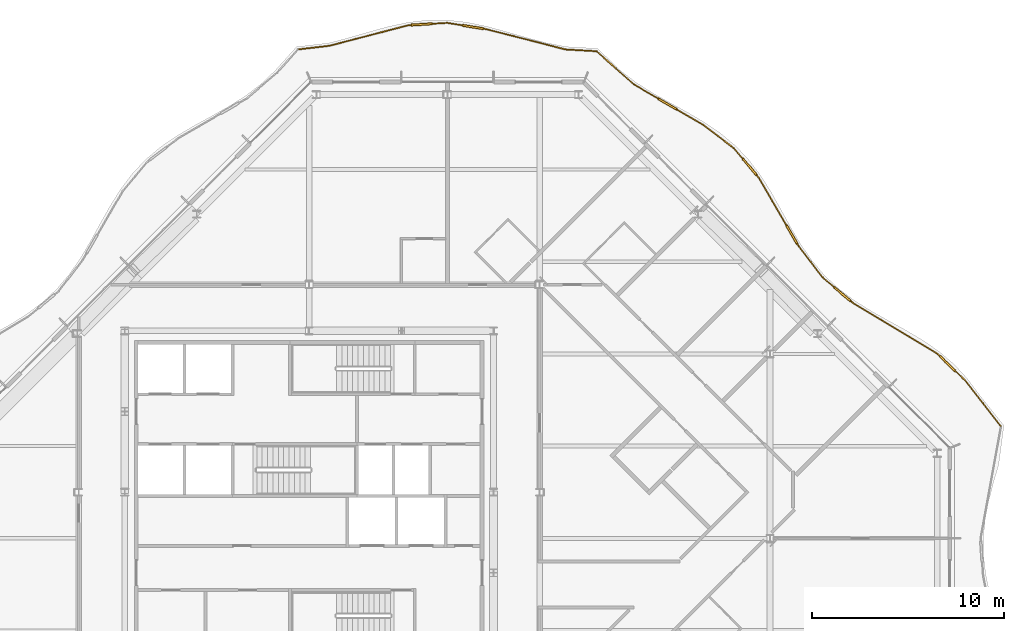
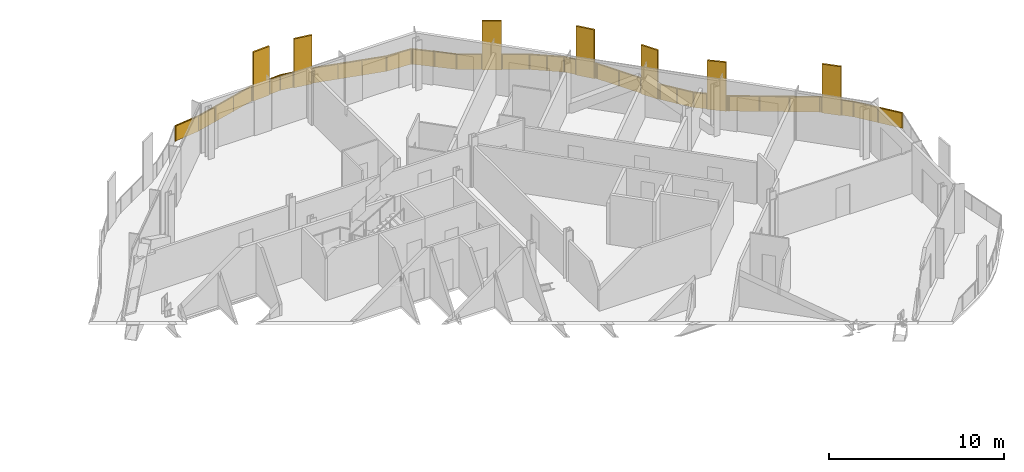
# One storey, part 16 of 16: 2 railings.
"""IFC4 building model written with IfcOpenShell, lengths in metres."""

from ifc_helpers import new_model, si_unit, direction, frame, origin, origin_2d, place, context, subcontext, project, spatial, polyline, rectangle, outline, extrude, material, type_object, element, save


model = new_model("IFC4")

# Units and contexts
model_context = context("Model", 3, precision=1e-05, world=origin(), true_north=direction((0.0, 1.0)))
body_context = subcontext(model_context, "Body", "Model", "MODEL_VIEW")
ifc_project = project(units=[si_unit("LENGTHUNIT", "METRE"), si_unit("AREAUNIT", "SQUARE_METRE"), si_unit("VOLUMEUNIT", "CUBIC_METRE"), si_unit("PLANEANGLEUNIT", "RADIAN"), si_unit("MASSUNIT", "GRAM", prefix="KILO")], contexts=[model_context])

# Site, building, storey
site_placement = place(None, origin())
site = spatial("IfcSite", under=ifc_project, at=site_placement, CompositionType="ELEMENT")
building_placement = place(site_placement, origin())
building = spatial("IfcBuilding", under=site, at=building_placement, Name="Cairn Pilgrim Tower", CompositionType="ELEMENT")
storey_placement = place(building_placement, frame((0.0, 0.0, 277.800048828125)))
storey = spatial("IfcBuildingStorey", under=building, at=storey_placement, Name="L71", CompositionType="ELEMENT", Elevation=277.800048828125)

# Railings
ifc_material = material(Name="Bronze anodised aluminium rail, posts and fin screens with laminated glass infill", Category="aluminium")
railing_type = type_object("IfcRailingType", Name="BALCONY GUARD WITH FIN SCREENS", PredefinedType="GUARDRAIL", material=ifc_material)
railing_1_placement = place(storey_placement, frame((43.218505859375, 5.82861328125, 0.0)))
element("IfcRailing", 1, at=railing_1_placement, inside=storey, type_object=railing_type, Name="Balcony guard BGF-4 with fin screens", PredefinedType="GUARDRAIL", context=body_context, shape_type="SweptSolid", body=[
    extrude(rectangle(XDim=0.050048828125, YDim=0.050048828125, at=origin_2d()), frame((0.0, 0.0, 1.0751953125), z_axis=(-0.614683489596, 0.788773863422, 0.0), x_axis=(-0.788773863422, -0.614683489596, 0.0)), (0.0, 0.0, 1.0), 3.02490234375),
    extrude(rectangle(XDim=1.10009765625, YDim=0.110107421875, at=origin_2d()), frame((-2.78466796875, 3.2763671875, 0.0), z_axis=(0.0, 0.0, 1.0), x_axis=(-0.720511442575, 0.693443048216, 0.0)), (0.0, 0.0, 1.0), 3.39990234375),
    extrude(rectangle(XDim=0.050048828125, YDim=0.050048828125, at=origin_2d()), frame((-1.859375, 2.385986328125, 1.0751953125), z_axis=(-0.720511442575, 0.693443048216, 0.0), x_axis=(-0.693443048216, -0.720511442575, 0.0)), (0.0, 0.0, 1.0), 0.734130859375),
    extrude(rectangle(XDim=0.050048828125, YDim=0.050048828125, at=origin_2d()), frame((-3.180908203125, 3.657958984375, 1.0751953125), z_axis=(-0.720511442575, 0.693443048216, 0.0), x_axis=(-0.693443048216, -0.720511442575, 0.0)), (0.0, 0.0, 1.0), 0.150146484375),
    extrude(rectangle(XDim=0.050048828125, YDim=0.050048828125, at=origin_2d()), frame((-3.2890625, 3.761962890625, 1.0751953125), z_axis=(-0.856082564474, 0.516839087922, 0.0), x_axis=(-0.516839087922, -0.856082564474, 0.0)), (0.0, 0.0, 1.0), 5.17431640625),
    extrude(rectangle(XDim=1.10009765625, YDim=0.110107421875, at=origin_2d()), frame((-8.2548828125, 6.885986328125, 0.0), z_axis=(0.0, 0.0, 1.0), x_axis=(-0.766125243105, 0.64269130372, 0.0)), (0.0, 0.0, 1.0), 3.39990234375),
    extrude(rectangle(XDim=0.050048828125, YDim=0.050048828125, at=origin_2d()), frame((-7.71875, 6.436279296875, 1.0751953125), z_axis=(-0.766125243105, 0.64269130372, 0.0), x_axis=(-0.64269130372, -0.766125243105, 0.0)), (0.0, 0.0, 1.0), 0.14990234375),
    extrude(rectangle(XDim=0.050048828125, YDim=0.050048828125, at=origin_2d()), frame((-8.67626953125, 7.239501953125, 1.0751953125), z_axis=(-0.766125243105, 0.64269130372, 0.0), x_axis=(-0.64269130372, -0.766125243105, 0.0)), (0.0, 0.0, 1.0), 0.79736328125),
    extrude(rectangle(XDim=0.050048828125, YDim=0.050048828125, at=origin_2d()), frame((-9.287109375, 7.751953125, 1.0751953125), z_axis=(-0.608331764351, 0.793682848802, 0.0), x_axis=(-0.793682848802, -0.608331764351, 0.0)), (0.0, 0.0, 1.0), 2.0546875),
    extrude(rectangle(XDim=1.10009765625, YDim=0.110107421875, at=origin_2d()), frame((-10.889404296875, 9.987548828125, 0.0), z_axis=(0.0, 0.0, 1.0), x_axis=(-0.503440017481, 0.864030178176, 0.0)), (0.0, 0.0, 1.0), 3.39990234375),
    extrude(rectangle(XDim=0.050048828125, YDim=0.050048828125, at=origin_2d()), frame((-10.537109375, 9.3828125, 1.0751953125), z_axis=(-0.503440017481, 0.864030178176, 0.0), x_axis=(-0.864030178176, -0.503440017481, 0.0)), (0.0, 0.0, 1.0), 0.14990234375),
    extrude(rectangle(XDim=0.050048828125, YDim=0.050048828125, at=origin_2d()), frame((-11.166259765625, 10.462646484375, 1.0751953125), z_axis=(-0.503440017481, 0.864030178176, 0.0), x_axis=(-0.864030178176, -0.503440017481, 0.0)), (0.0, 0.0, 1.0), 2.906494140625),
    extrude(rectangle(XDim=1.10009765625, YDim=0.110107421875, at=origin_2d()), frame((-13.08251953125, 13.5087890625, 0.0), z_axis=(0.0, 0.0, 1.0), x_axis=(-0.646310927774, 0.763074167195, 0.0)), (0.0, 0.0, 1.0), 3.39990234375),
    extrude(rectangle(XDim=0.050048828125, YDim=0.050048828125, at=origin_2d()), frame((-12.629638671875, 12.97412109375, 1.0751953125), z_axis=(-0.646310927774, 0.763074167195, 0.0), x_axis=(-0.763074167195, -0.646310927774, 0.0)), (0.0, 0.0, 1.0), 0.150634765625),
    extrude(rectangle(XDim=0.050048828125, YDim=0.050048828125, at=origin_2d()), frame((-13.43798828125, 13.928466796875, 1.0751953125), z_axis=(-0.646310927774, 0.763074167195, 0.0), x_axis=(-0.763074167195, -0.646310927774, 0.0)), (0.0, 0.0, 1.0), 0.73779296875),
    extrude(rectangle(XDim=0.050048828125, YDim=0.050048828125, at=origin_2d()), frame((-13.914794921875, 14.491455078125, 1.0751953125), z_axis=(-0.796478900899, 0.604666321554, 0.0), x_axis=(-0.604666321554, -0.796478900899, 0.0)), (0.0, 0.0, 1.0), 2.004638671875),
    extrude(rectangle(XDim=1.10009765625, YDim=0.110107421875, at=origin_2d()), frame((-17.359130859375, 16.78125, 0.0), z_axis=(0.0, 0.0, 1.0), x_axis=(-0.863808660409, 0.503820005759, 0.0)), (0.0, 0.0, 1.0), 3.39990234375),
    extrude(rectangle(XDim=0.050048828125, YDim=0.050048828125, at=origin_2d()), frame((-15.511474609375, 15.70361328125, 1.0751953125), z_axis=(-0.863808660409, 0.503820005759, 0.0), x_axis=(-0.503820005759, -0.863808660409, 0.0)), (0.0, 0.0, 1.0), 1.589111328125),
    extrude(rectangle(XDim=0.050048828125, YDim=0.050048828125, at=origin_2d()), frame((-17.834228515625, 17.058349609375, 1.0751953125), z_axis=(-0.863808660409, 0.503820005759, 0.0), x_axis=(-0.503820005759, -0.863808660409, 0.0)), (0.0, 0.0, 1.0), 1.476318359375),
    extrude(rectangle(XDim=0.050048828125, YDim=0.050048828125, at=origin_2d()), frame((-19.109619140625, 17.80224609375, 1.0751953125), z_axis=(-0.747780073964, 0.663946504609, 0.0), x_axis=(-0.663946504609, -0.747780073964, 0.0)), (0.0, 0.0, 1.0), 2.542236328125),
    extrude(rectangle(XDim=0.050048828125, YDim=0.050048828125, at=origin_2d()), origin(), (0.0, 0.0, 1.0), 1.050048828125),
    extrude(rectangle(XDim=0.050048828125, YDim=0.050048828125, at=origin_2d()), frame((-0.9296875, 1.19287109375, 0.0)), (0.0, 0.0, 1.0), 1.050048828125),
    extrude(rectangle(XDim=0.050048828125, YDim=0.050048828125, at=origin_2d()), frame((-1.859375, 2.385986328125, 0.0)), (0.0, 0.0, 1.0), 1.050048828125),
    extrude(rectangle(XDim=0.050048828125, YDim=0.050048828125, at=origin_2d()), frame((-2.370361328125, 2.877685546875, 0.0)), (0.0, 0.0, 1.0), 1.050048828125),
    extrude(rectangle(XDim=0.050048828125, YDim=0.050048828125, at=origin_2d()), frame((-3.198974609375, 3.67529296875, 0.0)), (0.0, 0.0, 1.0), 1.050048828125),
    extrude(rectangle(XDim=0.050048828125, YDim=0.050048828125, at=origin_2d()), frame((-3.2890625, 3.761962890625, 0.0)), (0.0, 0.0, 1.0), 1.050048828125),
    extrude(rectangle(XDim=0.050048828125, YDim=0.050048828125, at=origin_2d()), frame((-4.765625, 4.6533203125, 0.0)), (0.0, 0.0, 1.0), 1.050048828125),
    extrude(rectangle(XDim=0.050048828125, YDim=0.050048828125, at=origin_2d()), frame((-6.2421875, 5.544921875, 0.0)), (0.0, 0.0, 1.0), 1.050048828125),
    extrude(rectangle(XDim=0.050048828125, YDim=0.050048828125, at=origin_2d()), frame((-7.71875, 6.436279296875, 0.0)), (0.0, 0.0, 1.0), 1.050048828125),
    extrude(rectangle(XDim=0.050048828125, YDim=0.050048828125, at=origin_2d()), frame((-7.814453125, 6.5166015625, 0.0)), (0.0, 0.0, 1.0), 1.050048828125),
    extrude(rectangle(XDim=0.050048828125, YDim=0.050048828125, at=origin_2d()), frame((-8.695556640625, 7.255615234375, 0.0)), (0.0, 0.0, 1.0), 1.050048828125),
    extrude(rectangle(XDim=0.050048828125, YDim=0.050048828125, at=origin_2d()), frame((-9.287109375, 7.751953125, 0.0)), (0.0, 0.0, 1.0), 1.050048828125),
    extrude(rectangle(XDim=0.050048828125, YDim=0.050048828125, at=origin_2d()), frame((-9.912109375, 8.5673828125, 0.0)), (0.0, 0.0, 1.0), 1.050048828125),
    extrude(rectangle(XDim=0.050048828125, YDim=0.050048828125, at=origin_2d()), frame((-10.537109375, 9.3828125, 0.0)), (0.0, 0.0, 1.0), 1.050048828125),
    extrude(rectangle(XDim=0.050048828125, YDim=0.050048828125, at=origin_2d()), frame((-10.60009765625, 9.49072265625, 0.0)), (0.0, 0.0, 1.0), 1.050048828125),
    extrude(rectangle(XDim=0.050048828125, YDim=0.050048828125, at=origin_2d()), frame((-11.178955078125, 10.484375, 0.0)), (0.0, 0.0, 1.0), 1.050048828125),
    extrude(rectangle(XDim=0.050048828125, YDim=0.050048828125, at=origin_2d()), frame((-11.904296875, 11.729248046875, 0.0)), (0.0, 0.0, 1.0), 1.050048828125),
    extrude(rectangle(XDim=0.050048828125, YDim=0.050048828125, at=origin_2d()), frame((-12.629638671875, 12.97412109375, 0.0)), (0.0, 0.0, 1.0), 1.050048828125),
    extrude(rectangle(XDim=0.050048828125, YDim=0.050048828125, at=origin_2d()), frame((-12.710693359375, 13.06982421875, 0.0)), (0.0, 0.0, 1.0), 1.050048828125),
    extrude(rectangle(XDim=0.050048828125, YDim=0.050048828125, at=origin_2d()), frame((-13.4541015625, 13.947509765625, 0.0)), (0.0, 0.0, 1.0), 1.050048828125),
    extrude(rectangle(XDim=0.050048828125, YDim=0.050048828125, at=origin_2d()), frame((-13.914794921875, 14.491455078125, 0.0)), (0.0, 0.0, 1.0), 1.050048828125),
    extrude(rectangle(XDim=0.050048828125, YDim=0.050048828125, at=origin_2d()), frame((-14.713134765625, 15.09765625, 0.0)), (0.0, 0.0, 1.0), 1.050048828125),
    extrude(rectangle(XDim=0.050048828125, YDim=0.050048828125, at=origin_2d()), frame((-15.511474609375, 15.70361328125, 0.0)), (0.0, 0.0, 1.0), 1.050048828125),
    extrude(rectangle(XDim=0.050048828125, YDim=0.050048828125, at=origin_2d()), frame((-16.862548828125, 16.49169921875, 0.0)), (0.0, 0.0, 1.0), 1.050048828125),
    extrude(rectangle(XDim=0.050048828125, YDim=0.050048828125, at=origin_2d()), frame((-17.85595703125, 17.071044921875, 0.0)), (0.0, 0.0, 1.0), 1.050048828125),
    extrude(rectangle(XDim=0.050048828125, YDim=0.050048828125, at=origin_2d()), frame((-19.109619140625, 17.80224609375, 0.0)), (0.0, 0.0, 1.0), 1.050048828125),
    extrude(rectangle(XDim=0.050048828125, YDim=0.050048828125, at=origin_2d()), frame((-20.06005859375, 18.646240234375, 0.0)), (0.0, 0.0, 1.0), 1.050048828125),
    extrude(rectangle(XDim=0.050048828125, YDim=0.050048828125, at=origin_2d()), frame((-21.0107421875, 19.490234375, 0.0)), (0.0, 0.0, 1.0), 1.050048828125),
    extrude(outline(polyline([(0.02490234375, 0.0), (1.487548828125, 0.0), (1.487548828125, 1.050048828125), (0.02490234375, 1.050048828125), (0.02490234375, 0.0)])), frame((-0.004638671875, -0.003662109375, 0.0), z_axis=(0.788773863422, 0.614683489596, 0.0), x_axis=(-0.614683489596, 0.788773863422, 0.0)), (0.0, 0.0, 1.0), 0.011962890625),
    extrude(outline(polyline([(0.02490234375, 0.0), (1.487548828125, 0.0), (1.487548828125, 1.050048828125), (0.02490234375, 1.050048828125), (0.02490234375, 0.0)])), frame((-0.934326171875, 1.189208984375, 0.0), z_axis=(0.788773863422, 0.614683489596, 0.0), x_axis=(-0.614683489596, 0.788773863422, 0.0)), (0.0, 0.0, 1.0), 0.011962890625),
    extrude(outline(polyline([(0.02490234375, 0.0), (0.68408203125, 0.0), (0.68408203125, 1.050048828125), (0.02490234375, 1.050048828125), (0.02490234375, 0.0)])), frame((-1.863525390625, 2.381591796875, 0.0), z_axis=(0.693443048216, 0.720511442575, 0.0), x_axis=(-0.720511442575, 0.693443048216, 0.0)), (0.0, 0.0, 1.0), 0.011962890625),
    extrude(outline(polyline([(0.02490234375, 0.0), (0.10009765625, 0.0), (0.10009765625, 1.050048828125), (0.02490234375, 1.050048828125), (0.02490234375, 0.0)])), frame((-3.203125, 3.6708984375, 0.0), z_axis=(0.693443048216, 0.720511442575, 0.0), x_axis=(-0.720511442575, 0.693443048216, 0.0)), (0.0, 0.0, 1.0), 0.011962890625),
    extrude(outline(polyline([(0.02490234375, 0.0), (1.69970703125, 0.0), (1.69970703125, 1.050048828125), (0.02490234375, 1.050048828125), (0.02490234375, 0.0)])), frame((-3.292236328125, 3.7568359375, 0.0), z_axis=(0.516839087922, 0.856082564474, 0.0), x_axis=(-0.856082564474, 0.516839087922, 0.0)), (0.0, 0.0, 1.0), 0.011962890625),
    extrude(outline(polyline([(0.02490234375, 0.0), (1.69970703125, 0.0), (1.69970703125, 1.050048828125), (0.02490234375, 1.050048828125), (0.02490234375, 0.0)])), frame((-4.768798828125, 4.648193359375, 0.0), z_axis=(0.516839087922, 0.856082564474, 0.0), x_axis=(-0.856082564474, 0.516839087922, 0.0)), (0.0, 0.0, 1.0), 0.011962890625),
    extrude(outline(polyline([(0.02490234375, 0.0), (1.69970703125, 0.0), (1.69970703125, 1.050048828125), (0.02490234375, 1.050048828125), (0.02490234375, 0.0)])), frame((-6.245361328125, 5.539794921875, 0.0), z_axis=(0.516839087922, 0.856082564474, 0.0), x_axis=(-0.856082564474, 0.516839087922, 0.0)), (0.0, 0.0, 1.0), 0.011962890625),
    extrude(outline(polyline([(0.02490234375, 0.0), (0.099853515625, 0.0), (0.099853515625, 1.050048828125), (0.02490234375, 1.050048828125), (0.02490234375, 0.0)])), frame((-7.72265625, 6.431640625, 0.0), z_axis=(0.64269130372, 0.766125243105, 0.0), x_axis=(-0.766125243105, 0.64269130372, 0.0)), (0.0, 0.0, 1.0), 0.011962890625),
    extrude(outline(polyline([(0.02490234375, 0.0), (0.747314453125, 0.0), (0.747314453125, 1.050048828125), (0.02490234375, 1.050048828125), (0.02490234375, 0.0)])), frame((-8.69921875, 7.2509765625, 0.0), z_axis=(0.64269130372, 0.766125243105, 0.0), x_axis=(-0.766125243105, 0.64269130372, 0.0)), (0.0, 0.0, 1.0), 0.011962890625),
    extrude(outline(polyline([(0.02490234375, 0.0), (1.00244140625, 0.0), (1.00244140625, 1.050048828125), (0.02490234375, 1.050048828125), (0.02490234375, 0.0)])), frame((-9.291748046875, 7.748291015625, 0.0), z_axis=(0.793682848802, 0.608331764351, 0.0), x_axis=(-0.608331764351, 0.793682848802, 0.0)), (0.0, 0.0, 1.0), 0.011962890625),
    extrude(outline(polyline([(0.02490234375, 0.0), (1.00244140625, 0.0), (1.00244140625, 1.050048828125), (0.02490234375, 1.050048828125), (0.02490234375, 0.0)])), frame((-9.916748046875, 8.563720703125, 0.0), z_axis=(0.793682848802, 0.608331764351, 0.0), x_axis=(-0.608331764351, 0.793682848802, 0.0)), (0.0, 0.0, 1.0), 0.011962890625),
    extrude(outline(polyline([(0.02490234375, 0.0), (0.099853515625, 0.0), (0.099853515625, 1.050048828125), (0.02490234375, 1.050048828125), (0.02490234375, 0.0)])), frame((-10.542236328125, 9.3798828125, 0.0), z_axis=(0.864030178176, 0.503440017481, 0.0), x_axis=(-0.503440017481, 0.864030178176, 0.0)), (0.0, 0.0, 1.0), 0.011962890625),
    extrude(outline(polyline([(0.02490234375, 0.0), (1.415771484375, 0.0), (1.415771484375, 1.050048828125), (0.02490234375, 1.050048828125), (0.02490234375, 0.0)])), frame((-11.18408203125, 10.4814453125, 0.0), z_axis=(0.864030178176, 0.503440017481, 0.0), x_axis=(-0.503440017481, 0.864030178176, 0.0)), (0.0, 0.0, 1.0), 0.011962890625),
    extrude(outline(polyline([(0.02490234375, 0.0), (1.415771484375, 0.0), (1.415771484375, 1.050048828125), (0.02490234375, 1.050048828125), (0.02490234375, 0.0)])), frame((-11.909423828125, 11.726318359375, 0.0), z_axis=(0.864030178176, 0.503440017481, 0.0), x_axis=(-0.503440017481, 0.864030178176, 0.0)), (0.0, 0.0, 1.0), 0.011962890625),
    extrude(outline(polyline([(0.02490234375, 0.0), (0.1005859375, 0.0), (0.1005859375, 1.050048828125), (0.02490234375, 1.050048828125), (0.02490234375, 0.0)])), frame((-12.63427734375, 12.97021484375, 0.0), z_axis=(0.763074167195, 0.646310927774, 0.0), x_axis=(-0.646310927774, 0.763074167195, 0.0)), (0.0, 0.0, 1.0), 0.011962890625),
    extrude(outline(polyline([(0.02490234375, 0.0), (0.687744140625, 0.0), (0.687744140625, 1.050048828125), (0.02490234375, 1.050048828125), (0.02490234375, 0.0)])), frame((-13.45849609375, 13.943603515625, 0.0), z_axis=(0.763074167195, 0.646310927774, 0.0), x_axis=(-0.646310927774, 0.763074167195, 0.0)), (0.0, 0.0, 1.0), 0.011962890625),
    extrude(outline(polyline([(0.02490234375, 0.0), (0.977294921875, 0.0), (0.977294921875, 1.050048828125), (0.02490234375, 1.050048828125), (0.02490234375, 0.0)])), frame((-13.91845703125, 14.486572265625, 0.0), z_axis=(0.604666321554, 0.796478900899, 0.0), x_axis=(-0.796478900899, 0.604666321554, 0.0)), (0.0, 0.0, 1.0), 0.011962890625),
    extrude(outline(polyline([(0.02490234375, 0.0), (0.977294921875, 0.0), (0.977294921875, 1.050048828125), (0.02490234375, 1.050048828125), (0.02490234375, 0.0)])), frame((-14.716796875, 15.0927734375, 0.0), z_axis=(0.604666321554, 0.796478900899, 0.0), x_axis=(-0.796478900899, 0.604666321554, 0.0)), (0.0, 0.0, 1.0), 0.011962890625),
    extrude(outline(polyline([(0.02490234375, 0.0), (1.5390625, 0.0), (1.5390625, 1.050048828125), (0.02490234375, 1.050048828125), (0.02490234375, 0.0)])), frame((-15.514404296875, 15.698486328125, 0.0), z_axis=(0.503820005759, 0.863808660409, 0.0), x_axis=(-0.863808660409, 0.503820005759, 0.0)), (0.0, 0.0, 1.0), 0.011962890625),
    extrude(outline(polyline([(0.02490234375, 0.0), (1.42626953125, 0.0), (1.42626953125, 1.050048828125), (0.02490234375, 1.050048828125), (0.02490234375, 0.0)])), frame((-17.85888671875, 17.06591796875, 0.0), z_axis=(0.503820005759, 0.863808660409, 0.0), x_axis=(-0.863808660409, 0.503820005759, 0.0)), (0.0, 0.0, 1.0), 0.011962890625),
    extrude(outline(polyline([(0.02490234375, 0.0), (1.24609375, 0.0), (1.24609375, 1.050048828125), (0.02490234375, 1.050048828125), (0.02490234375, 0.0)])), frame((-19.113525390625, 17.7978515625, 0.0), z_axis=(0.663946504609, 0.747780073964, 0.0), x_axis=(-0.747780073964, 0.663946504609, 0.0)), (0.0, 0.0, 1.0), 0.011962890625),
    extrude(outline(polyline([(0.02490234375, 0.0), (1.24609375, 0.0), (1.24609375, 1.050048828125), (0.02490234375, 1.050048828125), (0.02490234375, 0.0)])), frame((-20.064208984375, 18.641845703125, 0.0), z_axis=(0.663946504609, 0.747780073964, 0.0), x_axis=(-0.747780073964, 0.663946504609, 0.0)), (0.0, 0.0, 1.0), 0.011962890625),
])
railing_2_placement = place(storey_placement, frame((22.162841796875, 25.358642578125, 0.0)))
element("IfcRailing", 2, at=railing_2_placement, inside=storey, type_object=railing_type, Name="Balcony guard BGF-5 with fin screens", PredefinedType="GUARDRAIL", context=body_context, shape_type="SweptSolid", body=[
    extrude(rectangle(XDim=0.050048828125, YDim=0.050048828125, at=origin_2d()), frame((0.0, 0.0, 1.0751953125), z_axis=(-0.998344445925, 0.057518408271, 0.0), x_axis=(-0.057518408271, -0.998344445925, 0.0)), (0.0, 0.0, 1.0), 1.6171875),
    extrude(rectangle(XDim=0.050048828125, YDim=0.050048828125, at=origin_2d()), frame((-1.614501953125, 0.093017578125, 1.0751953125), z_axis=(-0.968746289729, 0.248053675917, 0.0), x_axis=(-0.248053675917, -0.968746289729, 0.0)), (0.0, 0.0, 1.0), 4.2548828125),
    extrude(rectangle(XDim=1.10009765625, YDim=0.110107421875, at=origin_2d()), frame((-6.427490234375, 1.260009765625, 0.0), z_axis=(0.0, 0.0, 1.0), x_axis=(-0.987238717201, 0.159247339884, 0.0)), (0.0, 0.0, 1.0), 3.39990234375),
    extrude(rectangle(XDim=0.050048828125, YDim=0.050048828125, at=origin_2d()), frame((-5.736328125, 1.1484375, 1.0751953125), z_axis=(-0.987238717201, 0.159247339884, 0.0), x_axis=(-0.159247339884, -0.987238717201, 0.0)), (0.0, 0.0, 1.0), 0.14990234375),
    extrude(rectangle(XDim=0.050048828125, YDim=0.050048828125, at=origin_2d()), frame((-6.970458984375, 1.347412109375, 1.0751953125), z_axis=(-0.987238717201, 0.159247339884, 0.0), x_axis=(-0.159247339884, -0.987238717201, 0.0)), (0.0, 0.0, 1.0), 0.810546875),
    extrude(rectangle(XDim=1.10009765625, YDim=0.110107421875, at=origin_2d()), frame((-9.09765625, 1.3974609375, 0.0), z_axis=(0.0, 0.0, 1.0), x_axis=(-0.998225498549, -0.059547074208, 0.0)), (0.0, 0.0, 1.0), 3.39990234375),
    extrude(rectangle(XDim=0.050048828125, YDim=0.050048828125, at=origin_2d()), frame((-7.7705078125, 1.4765625, 1.0751953125), z_axis=(-0.998225498549, -0.059547074208, 0.0), x_axis=(0.059547074208, -0.998225498549, 0.0)), (0.0, 0.0, 1.0), 0.779541015625),
    extrude(rectangle(XDim=0.050048828125, YDim=0.050048828125, at=origin_2d()), frame((-9.646728515625, 1.36474609375, 1.0751953125), z_axis=(-0.998225498549, -0.059547074208, 0.0), x_axis=(0.059547074208, -0.998225498549, 0.0)), (0.0, 0.0, 1.0), 0.14990234375),
    extrude(rectangle(XDim=0.050048828125, YDim=0.050048828125, at=origin_2d()), frame((-9.79638671875, 1.355712890625, 1.0751953125), z_axis=(-0.967669746153, -0.25222066208, 0.0), x_axis=(0.25222066208, -0.967669746153, 0.0)), (0.0, 0.0, 1.0), 4.247314453125),
    extrude(rectangle(XDim=0.050048828125, YDim=0.050048828125, at=origin_2d()), frame((-13.906494140625, 0.284423828125, 1.0751953125), z_axis=(-0.993330239875, -0.115304095981, 0.0), x_axis=(0.115304095981, -0.993330239875, 0.0)), (0.0, 0.0, 1.0), 1.594482421875),
    extrude(rectangle(XDim=0.050048828125, YDim=0.050048828125, at=origin_2d()), origin(), (0.0, 0.0, 1.0), 1.050048828125),
    extrude(rectangle(XDim=0.050048828125, YDim=0.050048828125, at=origin_2d()), frame((-1.614501953125, 0.093017578125, 0.0)), (0.0, 0.0, 1.0), 1.050048828125),
    extrude(rectangle(XDim=0.050048828125, YDim=0.050048828125, at=origin_2d()), frame((-2.988525390625, 0.44482421875, 0.0)), (0.0, 0.0, 1.0), 1.050048828125),
    extrude(rectangle(XDim=0.050048828125, YDim=0.050048828125, at=origin_2d()), frame((-4.3623046875, 0.796630859375, 0.0)), (0.0, 0.0, 1.0), 1.050048828125),
    extrude(rectangle(XDim=0.050048828125, YDim=0.050048828125, at=origin_2d()), frame((-5.736328125, 1.1484375, 0.0)), (0.0, 0.0, 1.0), 1.050048828125),
    extrude(rectangle(XDim=0.050048828125, YDim=0.050048828125, at=origin_2d()), frame((-5.859619140625, 1.16845703125, 0.0)), (0.0, 0.0, 1.0), 1.050048828125),
    extrude(rectangle(XDim=0.050048828125, YDim=0.050048828125, at=origin_2d()), frame((-6.9951171875, 1.3515625, 0.0)), (0.0, 0.0, 1.0), 1.050048828125),
    extrude(rectangle(XDim=0.050048828125, YDim=0.050048828125, at=origin_2d()), frame((-7.7705078125, 1.4765625, 0.0)), (0.0, 0.0, 1.0), 1.050048828125),
    extrude(rectangle(XDim=0.050048828125, YDim=0.050048828125, at=origin_2d()), frame((-8.523681640625, 1.431640625, 0.0)), (0.0, 0.0, 1.0), 1.050048828125),
    extrude(rectangle(XDim=0.050048828125, YDim=0.050048828125, at=origin_2d()), frame((-9.671630859375, 1.363037109375, 0.0)), (0.0, 0.0, 1.0), 1.050048828125),
    extrude(rectangle(XDim=0.050048828125, YDim=0.050048828125, at=origin_2d()), frame((-9.79638671875, 1.355712890625, 0.0)), (0.0, 0.0, 1.0), 1.050048828125),
    extrude(rectangle(XDim=0.050048828125, YDim=0.050048828125, at=origin_2d()), frame((-11.16650390625, 0.99853515625, 0.0)), (0.0, 0.0, 1.0), 1.050048828125),
    extrude(rectangle(XDim=0.050048828125, YDim=0.050048828125, at=origin_2d()), frame((-12.536376953125, 0.6416015625, 0.0)), (0.0, 0.0, 1.0), 1.050048828125),
    extrude(rectangle(XDim=0.050048828125, YDim=0.050048828125, at=origin_2d()), frame((-13.906494140625, 0.284423828125, 0.0)), (0.0, 0.0, 1.0), 1.050048828125),
    extrude(rectangle(XDim=0.050048828125, YDim=0.050048828125, at=origin_2d()), frame((-15.490234375, 0.1005859375, 0.0)), (0.0, 0.0, 1.0), 1.050048828125),
    extrude(outline(polyline([(0.02490234375, 0.0), (1.592041015625, 0.0), (1.592041015625, 1.050048828125), (0.02490234375, 1.050048828125), (0.02490234375, 0.0)])), frame((-0.000244140625, -0.005859375, 0.0), z_axis=(0.057518408271, 0.998344445925, 0.0), x_axis=(-0.998344445925, 0.057518408271, 0.0)), (0.0, 0.0, 1.0), 0.011962890625),
    extrude(outline(polyline([(0.02490234375, 0.0), (1.393310546875, 0.0), (1.393310546875, 1.050048828125), (0.02490234375, 1.050048828125), (0.02490234375, 0.0)])), frame((-1.615966796875, 0.087158203125, 0.0), z_axis=(0.248053675917, 0.968746289729, 0.0), x_axis=(-0.968746289729, 0.248053675917, 0.0)), (0.0, 0.0, 1.0), 0.011962890625),
    extrude(outline(polyline([(0.02490234375, 0.0), (1.393310546875, 0.0), (1.393310546875, 1.050048828125), (0.02490234375, 1.050048828125), (0.02490234375, 0.0)])), frame((-2.989990234375, 0.43896484375, 0.0), z_axis=(0.248053675917, 0.968746289729, 0.0), x_axis=(-0.968746289729, 0.248053675917, 0.0)), (0.0, 0.0, 1.0), 0.011962890625),
    extrude(outline(polyline([(0.02490234375, 0.0), (1.393310546875, 0.0), (1.393310546875, 1.050048828125), (0.02490234375, 1.050048828125), (0.02490234375, 0.0)])), frame((-4.36376953125, 0.790771484375, 0.0), z_axis=(0.248053675917, 0.968746289729, 0.0), x_axis=(-0.968746289729, 0.248053675917, 0.0)), (0.0, 0.0, 1.0), 0.011962890625),
    extrude(outline(polyline([(0.02490234375, 0.0), (0.099853515625, 0.0), (0.099853515625, 1.050048828125), (0.02490234375, 1.050048828125), (0.02490234375, 0.0)])), frame((-5.7373046875, 1.142578125, 0.0), z_axis=(0.159247339884, 0.987238717201, 0.0), x_axis=(-0.987238717201, 0.159247339884, 0.0)), (0.0, 0.0, 1.0), 0.011962890625),
    extrude(outline(polyline([(0.02490234375, 0.0), (0.760498046875, 0.0), (0.760498046875, 1.050048828125), (0.02490234375, 1.050048828125), (0.02490234375, 0.0)])), frame((-6.99609375, 1.345458984375, 0.0), z_axis=(0.159247339884, 0.987238717201, 0.0), x_axis=(-0.987238717201, 0.159247339884, 0.0)), (0.0, 0.0, 1.0), 0.011962890625),
    extrude(outline(polyline([(0.02490234375, 0.0), (0.7294921875, 0.0), (0.7294921875, 1.050048828125), (0.02490234375, 1.050048828125), (0.02490234375, 0.0)])), frame((-7.770263671875, 1.470703125, 0.0), z_axis=(-0.059547074208, 0.998225498549, 0.0), x_axis=(-0.998225498549, -0.059547074208, 0.0)), (0.0, 0.0, 1.0), 0.011962890625),
    extrude(outline(polyline([(0.02490234375, 0.0), (0.099853515625, 0.0), (0.099853515625, 1.050048828125), (0.02490234375, 1.050048828125), (0.02490234375, 0.0)])), frame((-9.67138671875, 1.357177734375, 0.0), z_axis=(-0.059547074208, 0.998225498549, 0.0), x_axis=(-0.998225498549, -0.059547074208, 0.0)), (0.0, 0.0, 1.0), 0.011962890625),
    extrude(outline(polyline([(0.02490234375, 0.0), (1.390869140625, 0.0), (1.390869140625, 1.050048828125), (0.02490234375, 1.050048828125), (0.02490234375, 0.0)])), frame((-9.794921875, 1.349853515625, 0.0), z_axis=(-0.25222066208, 0.967669746153, 0.0), x_axis=(-0.967669746153, -0.25222066208, 0.0)), (0.0, 0.0, 1.0), 0.011962890625),
    extrude(outline(polyline([(0.02490234375, 0.0), (1.390869140625, 0.0), (1.390869140625, 1.050048828125), (0.02490234375, 1.050048828125), (0.02490234375, 0.0)])), frame((-11.164794921875, 0.992919921875, 0.0), z_axis=(-0.25222066208, 0.967669746153, 0.0), x_axis=(-0.967669746153, -0.25222066208, 0.0)), (0.0, 0.0, 1.0), 0.011962890625),
    extrude(outline(polyline([(0.02490234375, 0.0), (1.390869140625, 0.0), (1.390869140625, 1.050048828125), (0.02490234375, 1.050048828125), (0.02490234375, 0.0)])), frame((-12.534912109375, 0.6357421875, 0.0), z_axis=(-0.25222066208, 0.967669746153, 0.0), x_axis=(-0.967669746153, -0.25222066208, 0.0)), (0.0, 0.0, 1.0), 0.011962890625),
    extrude(outline(polyline([(0.02490234375, 0.0), (1.5693359375, 0.0), (1.5693359375, 1.050048828125), (0.02490234375, 1.050048828125), (0.02490234375, 0.0)])), frame((-13.90576171875, 0.278564453125, 0.0), z_axis=(-0.115304095981, 0.993330239875, 0.0), x_axis=(-0.993330239875, -0.115304095981, 0.0)), (0.0, 0.0, 1.0), 0.011962890625),
])

save(model, "model.ifc")
